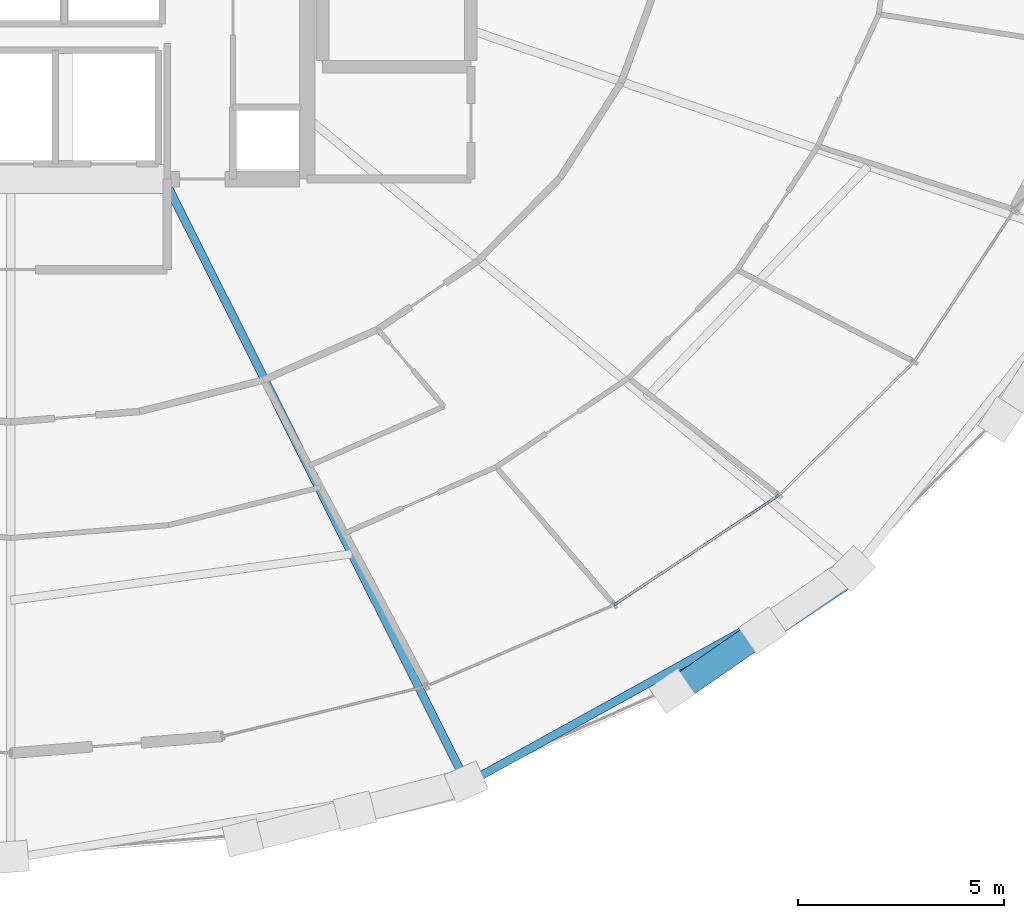
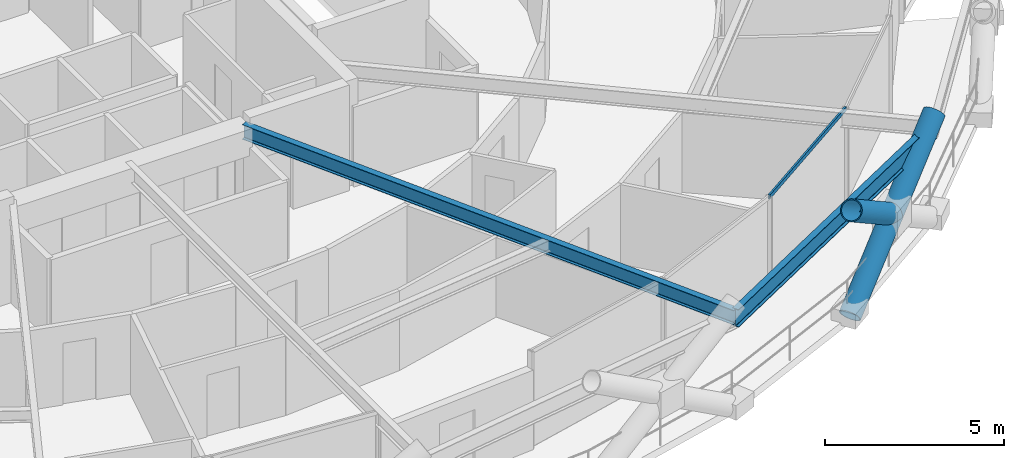
# One storey, part 7 of 19: 3 members, 2 beams, 1 element without a shape of its own.
"""IFC4 building model written with IfcOpenShell, lengths in metres."""

from ifc_helpers import new_model, si_unit, direction, frame, origin, origin_2d, place, context, subcontext, project, spatial, hollow_rectangle, hollow_circle, i_section, extrude, material, layer, layer_set, material_profile, profile_set, type_object, element, aggregate, save


model = new_model("IFC4")

# Units and contexts
model_context = context("Model", 3, precision=1e-05, world=origin(), true_north=direction((0.0, 1.0)))
body_context = subcontext(model_context, "Body", "Model", "MODEL_VIEW")
ifc_project = project(units=[si_unit("LENGTHUNIT", "METRE"), si_unit("AREAUNIT", "SQUARE_METRE"), si_unit("VOLUMEUNIT", "CUBIC_METRE"), si_unit("PLANEANGLEUNIT", "RADIAN"), si_unit("MASSUNIT", "GRAM", prefix="KILO")], contexts=[model_context])

# Site, building, storey
site_placement = place(None, origin())
site = spatial("IfcSite", under=ifc_project, at=site_placement, CompositionType="ELEMENT")
building_placement = place(site_placement, origin())
building = spatial("IfcBuilding", under=site, at=building_placement, Name="Veldorina Hangang Commons", CompositionType="ELEMENT")
storey_placement = place(building_placement, frame((0.0, 0.0, 70.0)))
storey = spatial("IfcBuildingStorey", under=building, at=storey_placement, Name="L17", CompositionType="ELEMENT", Elevation=70.0)

# Beams
ifc_material_1 = material(Name="Steel SM420-TMC", Category="steel")
ifc_material_profile_1 = material_profile(ifc_material_1, i_section(OverallWidth=0.199951171875, OverallDepth=0.5, WebThickness=0.010009765625, FlangeThickness=0.01611328125, FilletRadius=0.01611328125, at=origin_2d()), Name="H-500x200x10x16")
ifc_profile_set_1 = profile_set([ifc_material_profile_1], Name="Steel SM420-TMC")
beam_type_1 = type_object("IfcBeamType", Name="BM-FG500", PredefinedType="BEAM", material=ifc_profile_set_1)
beam_1_placement = place(storey_placement, frame((35.72998046875, 16.550048828125, 3.090087890625), z_axis=(0.447689354568, -0.894189153259, 0.0), x_axis=(0.894189153259, 0.447689354568, 0.0)))
element("IfcBeam", 1, at=beam_1_placement, inside=storey, type_object=beam_type_1, Name="L17 radial floor girder 14", PredefinedType="BEAM", context=body_context, shape_type="SweptSolid", body=[
    extrude(i_section(OverallWidth=0.199951171875, OverallDepth=0.5, WebThickness=0.010009765625, FlangeThickness=0.01611328125, FilletRadius=0.01611328125, at=origin_2d()), origin(), (0.0, 0.0, 1.0), 16.4189453125),
])
ifc_material_profile_2 = material_profile(ifc_material_1, i_section(OverallWidth=0.199951171875, OverallDepth=0.60009765625, WebThickness=0.010986328125, FlangeThickness=0.01708984375, FilletRadius=0.01806640625, at=origin_2d()), Name="H-600x200x11x17")
ifc_profile_set_2 = profile_set([ifc_material_profile_2], Name="Steel SM420-TMC")
beam_type_2 = type_object("IfcBeamType", Name="BM-RB600", PredefinedType="BEAM", material=ifc_profile_set_2)
beam_2_placement = place(storey_placement, frame((43.08056640625, 1.868408203125, 3.0400390625), z_axis=(0.87518958312, 0.483780108724, 0.0), x_axis=(-0.483780108724, 0.87518958312, 0.0)))
element("IfcBeam", 2, at=beam_2_placement, inside=storey, type_object=beam_type_2, Name="L17 perimeter hoop ring beam 26", PredefinedType="BEAM", context=body_context, shape_type="SweptSolid", body=[
    extrude(i_section(OverallWidth=0.199951171875, OverallDepth=0.60009765625, WebThickness=0.010986328125, FlangeThickness=0.01708984375, FilletRadius=0.01806640625, at=origin_2d()), origin(), (0.0, 0.0, 1.0), 10.7333984375),
])

# Curtain wall, member
ifc_material_2 = material(Name="Glass Low-E Triple IGU", Category="glass")
ifc_layer = layer(ifc_material_2, 0.179931640625)
ifc_layer_set = layer_set([ifc_layer], Name="Glass Low-E Triple IGU")
curtain_wall_type = type_object("IfcCurtainWallType", Name="CW-SYS-Z1", PredefinedType="NOTDEFINED", material=ifc_layer_set)
curtain_wall_placement = place(storey_placement, origin())
curtain_wall = element("IfcCurtainWall", 3, at=curtain_wall_placement, inside=storey, type_object=curtain_wall_type, Name="L17 unitised curtain wall CW-L17-R2", PredefinedType="NOTDEFINED")
ifc_material_3 = material(Name="Aluminium Anodized AA6063-T6", Category="aluminium")
ifc_material_profile_3 = material_profile(ifc_material_3, hollow_rectangle(XDim=0.06005859375, YDim=0.139892578125, WallThickness=0.00341796875, at=origin_2d()), Name="ALU-RHS-140x60x3.5")
ifc_profile_set_3 = profile_set([ifc_material_profile_3], Name="Aluminium Anodized AA6063-T6")
member_type_1 = type_object("IfcMemberType", Name="CW-TRN-140", PredefinedType="USERDEFINED", material=ifc_profile_set_3)
member_1_placement = place(storey_placement, frame((46.664794921875, 6.2099609375, 3.260009765625), z_axis=(0.832589378126, 0.553890717951, 0.0), x_axis=(-0.553890717951, 0.832589378126, 0.0)))
member_1 = element("IfcMember", 4, at=member_1_placement, type_object=member_type_1, Name="CW-L17-R2 facet 3 transom 1", ObjectType="TRANSOM", PredefinedType="USERDEFINED", context=body_context, shape_type="SweptSolid", body=[
    extrude(hollow_rectangle(XDim=0.06005859375, YDim=0.139892578125, WallThickness=0.00341796875, at=origin_2d()), origin(), (0.0, 0.0, 1.0), 4.803955078125),
])
aggregate(curtain_wall, [member_1])

# Members
ifc_material_4 = material(Name="Steel SM460-TMC", Category="steel")
ifc_material_profile_4 = material_profile(ifc_material_4, hollow_circle(Radius=0.324951171875, WallThickness=0.031982421875, at=origin_2d()), Name="CHS-650x32")
ifc_profile_set_4 = profile_set([ifc_material_profile_4], Name="Steel SM460-TMC")
member_type_2 = type_object("IfcMemberType", Name="DG-CHS650", PredefinedType="BRACE", material=ifc_profile_set_4)
member_2_placement = place(storey_placement, frame((48.064697265625, 4.11474609375, 0.0), z_axis=(0.688622841863, 0.458764551011, 0.561545784777), x_axis=(-0.554434652795, 0.832227262098, 0.0)))
element("IfcMember", 5, at=member_2_placement, inside=storey, type_object=member_type_2, Name="L17 continuous perimeter diagrid brace 27", PredefinedType="BRACE", context=body_context, shape_type="SweptSolid", body=[
    extrude(hollow_circle(Radius=0.324951171875, WallThickness=0.031982421875, at=origin_2d()), origin(), (0.0, 0.0, 1.0), 6.4111328125),
])
member_3_placement = place(storey_placement, frame((50.270263671875, 5.583984375, 1.798583984375), z_axis=(-0.680132777972, -0.470562294975, 0.562130350432), x_axis=(0.56896567704, -0.822361269972, 0.0)))
element("IfcMember", 6, at=member_3_placement, inside=storey, type_object=member_type_2, Name="L17 split perimeter diagrid upper brace 28", PredefinedType="BRACE", context=body_context, shape_type="SweptSolid", body=[
    extrude(hollow_circle(Radius=0.324951171875, WallThickness=0.031982421875, at=origin_2d()), origin(), (0.0, 0.0, 1.0), 3.204833984375),
])

save(model, "model.ifc")
